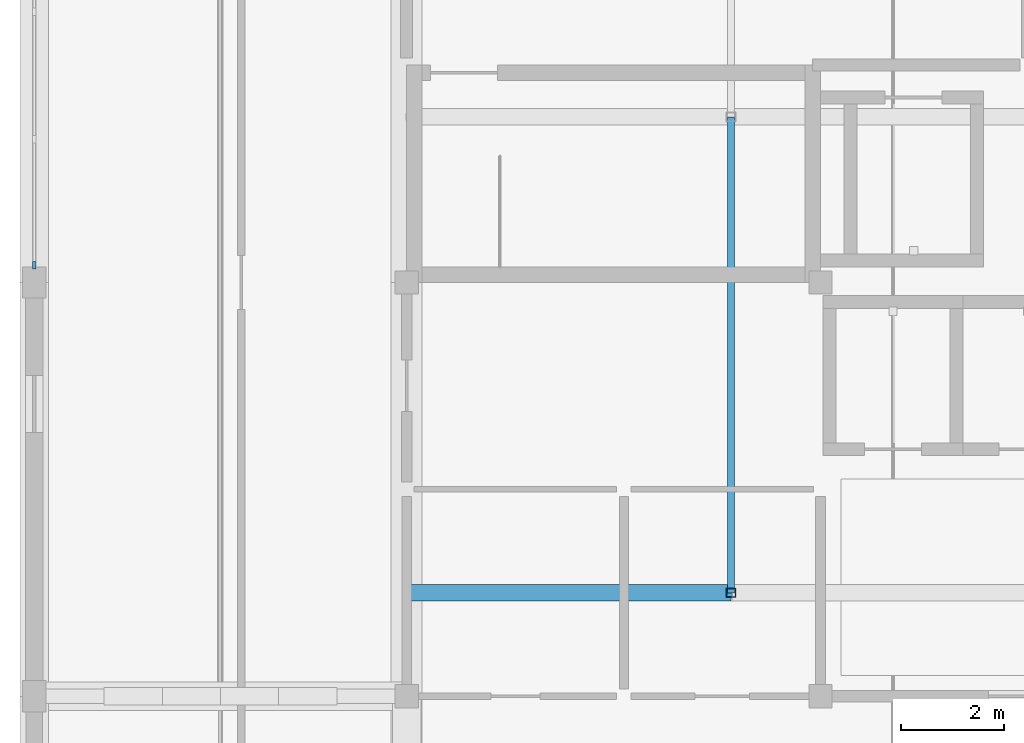
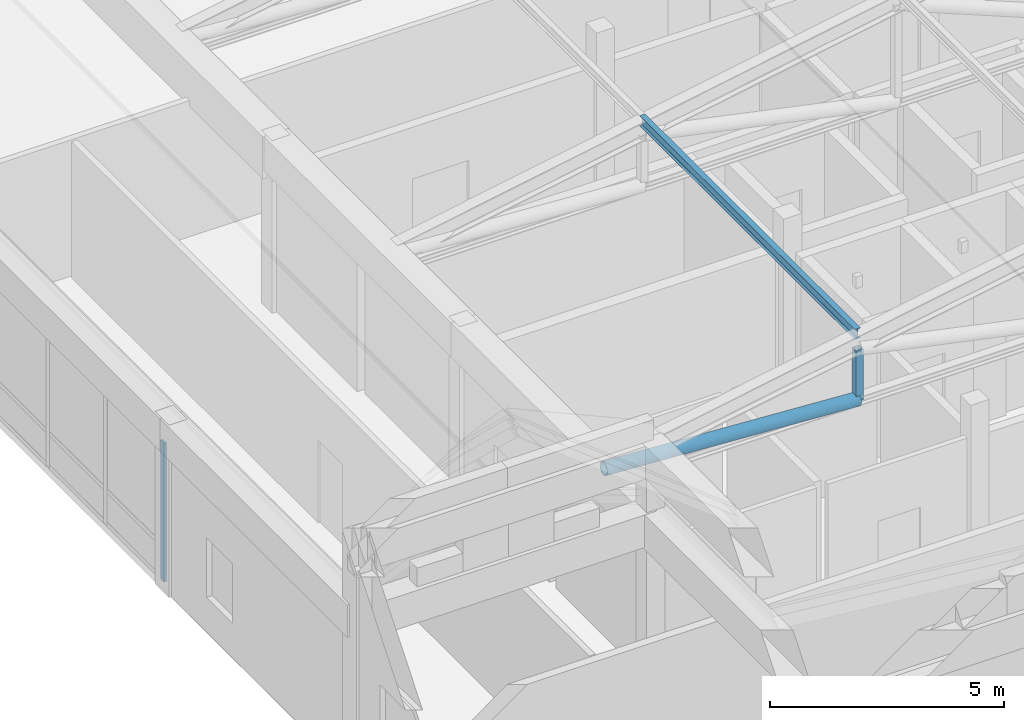
# One storey, part 2 of 24: 4 members, 1 element without a shape of its own.
"""IFC4 building model written with IfcOpenShell, lengths in metres."""

from ifc_helpers import new_model, si_unit, direction, frame, origin, origin_2d, place, context, subcontext, project, spatial, rectangle, hollow_rectangle, hollow_circle, i_section, extrude, material, material_profile, profile_set, type_object, element, aggregate, save


model = new_model("IFC4")

# Units and contexts
model_context = context("Model", 3, precision=1e-05, world=origin(), true_north=direction((0.0, 1.0)))
body_context = subcontext(model_context, "Body", "Model", "MODEL_VIEW")
ifc_project = project(units=[si_unit("LENGTHUNIT", "METRE"), si_unit("AREAUNIT", "SQUARE_METRE"), si_unit("VOLUMEUNIT", "CUBIC_METRE"), si_unit("PLANEANGLEUNIT", "RADIAN"), si_unit("MASSUNIT", "GRAM", prefix="KILO")], contexts=[model_context])

# Site, building, storey
site_placement = place(None, origin())
site = spatial("IfcSite", under=ifc_project, at=site_placement, CompositionType="ELEMENT")
building_placement = place(site_placement, origin())
building = spatial("IfcBuilding", under=site, at=building_placement, Name="Vellmiral Cinema and Media Centre", CompositionType="ELEMENT")
storey_placement = place(building_placement, frame((0.0, 0.0, 66.60009765625)))
storey = spatial("IfcBuildingStorey", under=building, at=storey_placement, Name="L16", CompositionType="ELEMENT", Elevation=66.60009765625)

# Curtain wall, member
ifc_material_1 = material(Name="Thermally Broken Aluminium and Triple Glazing", Category="aluminium")
curtain_wall_type = type_object("IfcCurtainWallType", Name="CW-TOWER-HIGH", PredefinedType="USERDEFINED", material=ifc_material_1)
curtain_wall_placement = place(storey_placement, origin())
curtain_wall = element("IfcCurtainWall", 1, at=curtain_wall_placement, inside=storey, type_object=curtain_wall_type, Name="Curtain Wall L16-B021", ObjectType="UNITISED CURTAIN WALL", PredefinedType="USERDEFINED")
ifc_material_2 = material(Name="Thermally Broken Anodised Aluminium", Category="aluminium")
ifc_material_profile_1 = material_profile(ifc_material_2, rectangle(XDim=0.06005859375, YDim=0.14990234375, at=origin_2d()), Name="MULL 60x150")
ifc_profile_set_1 = profile_set([ifc_material_profile_1], Name="Thermally Broken Anodised Aluminium")
member_type_1 = type_object("IfcMemberType", Name="CWM-60x150", PredefinedType="MULLION", material=ifc_profile_set_1)
member_1_placement = place(storey_placement, frame((116.800048828125, 87.530029296875, 0.0), z_axis=(0.0, 0.0, 1.0), x_axis=(1.0, 0.0, 0.0)))
member_1 = element("IfcMember", 2, at=member_1_placement, type_object=member_type_1, Name="CW-09 mullion 4", PredefinedType="MULLION", context=body_context, shape_type="SweptSolid", body=[
    extrude(rectangle(XDim=0.06005859375, YDim=0.14990234375, at=origin_2d()), origin(), (0.0, 0.0, 1.0), 3.619873046875),
])
aggregate(curtain_wall, [member_1])

# Members
ifc_material_3 = material(Name="Steel S355", Category="steel")
ifc_material_profile_2 = material_profile(ifc_material_3, i_section(OverallWidth=0.135009765625, OverallDepth=0.27001953125, WebThickness=0.006591796875, FlangeThickness=0.01025390625, FilletRadius=0.014892578125, at=origin_2d()), Name="IPE 270")
ifc_profile_set_2 = profile_set([ifc_material_profile_2], Name="Steel S355")
member_type_2 = type_object("IfcMemberType", Name="PRL-IPE270", PredefinedType="PURLIN", material=ifc_profile_set_2)
member_2_placement = place(storey_placement, frame((130.2666015625, 81.199951171875, 5.548095703125), z_axis=(0.0, 1.0, 0.0), x_axis=(-1.0, 0.0, 0.0)))
element("IfcMember", 3, at=member_2_placement, inside=storey, type_object=member_type_2, Name="Roof Purlin VR-CROWN.1.1", PredefinedType="PURLIN", context=body_context, shape_type="SweptSolid", body=[
    extrude(i_section(OverallWidth=0.135009765625, OverallDepth=0.27001953125, WebThickness=0.006591796875, FlangeThickness=0.01025390625, FilletRadius=0.014892578125, at=origin_2d()), origin(), (0.0, 0.0, 1.0), 9.199951171875),
])
ifc_material_4 = material(Name="Steel S355", Category="steel")
ifc_material_profile_3 = material_profile(ifc_material_4, hollow_circle(Radius=0.161865234375, WallThickness=0.012451171875, at=origin_2d()), Name="CHS 323.9x12.5")
ifc_profile_set_3 = profile_set([ifc_material_profile_3], Name="Steel S355")
member_type_3 = type_object("IfcMemberType", Name="TBR-CHS324", PredefinedType="BRACE", material=ifc_profile_set_3)
member_3_placement = place(storey_placement, frame((124.0, 81.199951171875, 4.224853515625), z_axis=(0.998214318933, 0.0, -0.059734190193), x_axis=(0.0, 1.0, 0.0)))
element("IfcMember", 4, at=member_3_placement, inside=storey, type_object=member_type_3, Name="Roof Truss TR-10.1 Diagonal 1", PredefinedType="BRACE", context=body_context, shape_type="SweptSolid", body=[
    extrude(hollow_circle(Radius=0.161865234375, WallThickness=0.012451171875, at=origin_2d()), origin(), (0.0, 0.0, 1.0), 6.27783203125),
])
ifc_material_5 = material(Name="Steel S355", Category="steel")
ifc_material_profile_4 = material_profile(ifc_material_5, hollow_rectangle(XDim=0.179931640625, YDim=0.179931640625, WallThickness=0.010009765625, at=origin_2d()), Name="SHS 180x180x10.0")
ifc_profile_set_4 = profile_set([ifc_material_profile_4], Name="Steel S355")
member_type_4 = type_object("IfcMemberType", Name="TBR-SHS180", PredefinedType="BRACE", material=ifc_profile_set_4)
member_4_placement = place(storey_placement, frame((130.2666015625, 81.199951171875, 3.849853515625), z_axis=(0.0, 0.0, 1.0), x_axis=(1.0, 0.0, 0.0)))
element("IfcMember", 5, at=member_4_placement, inside=storey, type_object=member_type_4, Name="Roof Truss TR-10.1 Post 1", PredefinedType="BRACE", context=body_context, shape_type="SweptSolid", body=[
    extrude(hollow_rectangle(XDim=0.179931640625, YDim=0.179931640625, WallThickness=0.010009765625, at=origin_2d()), origin(), (0.0, 0.0, 1.0), 1.328125),
])

save(model, "model.ifc")
